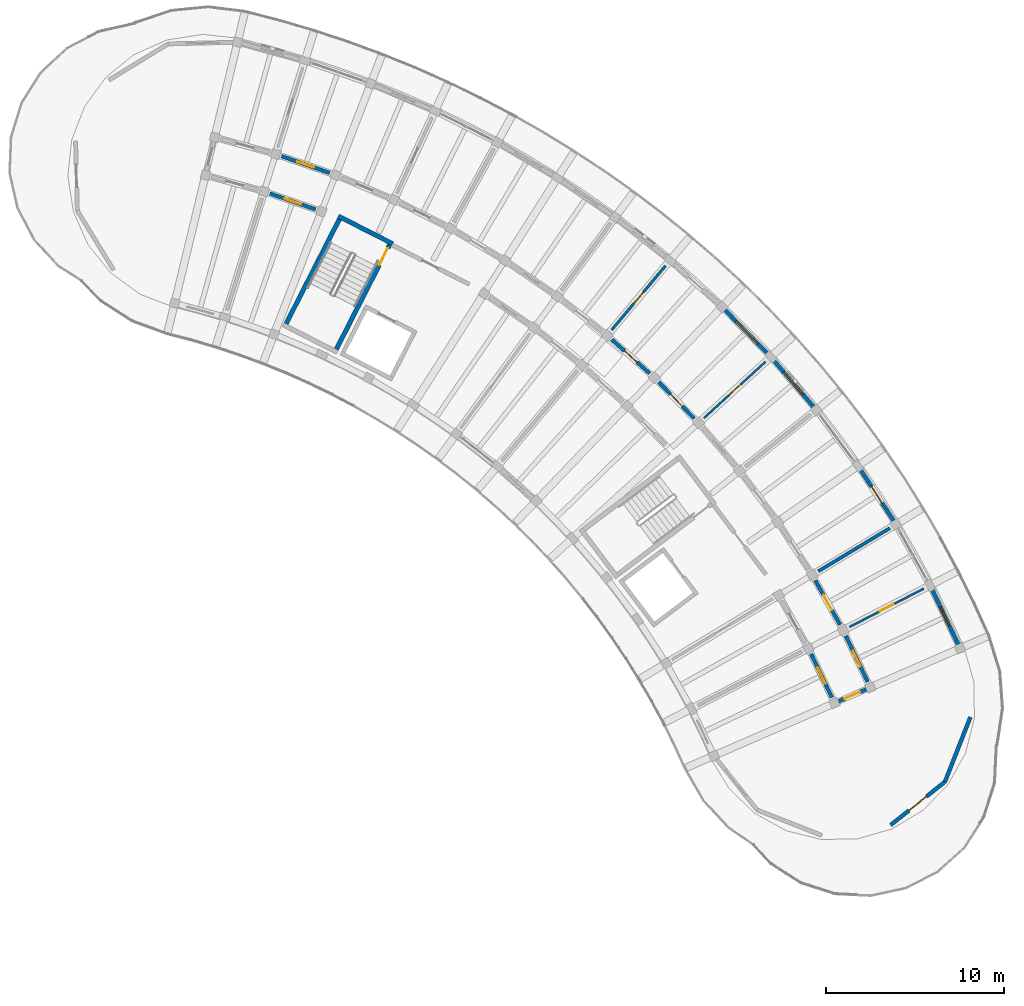
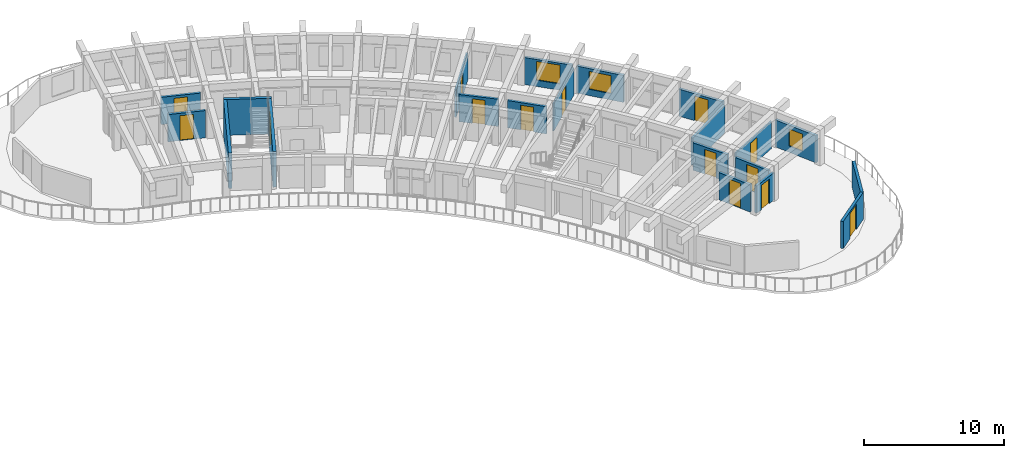
# One storey, part 43 of 62: 21 walls, 14 doors, 3 windows, 17 openings.
"""IFC4 building model written with IfcOpenShell, lengths in metres."""

from ifc_helpers import new_model, si_unit, direction, frame, frame_2d, origin, place, context, subcontext, project, spatial, rectangle, extrude, material, layer, layer_set, type_object, element, fill, save


model = new_model("IFC4")

# Units and contexts
model_context = context("Model", 3, precision=1e-05, world=origin(), true_north=direction((0.0, 1.0)))
body_context = subcontext(model_context, "Body", "Model", "MODEL_VIEW")
ifc_project = project(units=[si_unit("LENGTHUNIT", "METRE"), si_unit("AREAUNIT", "SQUARE_METRE"), si_unit("VOLUMEUNIT", "CUBIC_METRE"), si_unit("PLANEANGLEUNIT", "RADIAN"), si_unit("MASSUNIT", "GRAM", prefix="KILO")], contexts=[model_context])

# Site, building, storey
site_placement = place(None, origin())
site = spatial("IfcSite", under=ifc_project, at=site_placement, CompositionType="ELEMENT")
building_placement = place(site_placement, origin())
building = spatial("IfcBuilding", under=site, at=building_placement, Name="Tanwirah Colonnade Gardens", CompositionType="ELEMENT")
storey_placement = place(building_placement, frame((0.0, 0.0, 32.360107421875)))
storey = spatial("IfcBuildingStorey", under=building, at=storey_placement, Name="L09", CompositionType="ELEMENT", Elevation=32.360107421875)

# Wall, opening, window
ifc_material_1 = material(Name="Limestone architectural precast concrete C40/50", Category="masonry")
ifc_layer_1 = layer(ifc_material_1, 0.219970703125)
ifc_layer_set_1 = layer_set([ifc_layer_1], Name="Limestone architectural precast concrete C40/50")
wall_type_1 = type_object("IfcWallType", Name="EW-PC220", PredefinedType="SOLIDWALL", material=ifc_layer_set_1)
wall_1_placement = place(storey_placement, frame((175.493408203125, 84.197021484375, 0.0), z_axis=(0.0, 0.0, 1.0), x_axis=(-0.429641817045, 0.902999395928, 0.0)))
wall_1 = element("IfcWall", 1, at=wall_1_placement, inside=storey, type_object=wall_type_1, Name="Block B L09 OUT Precast Facade Wall 2", PredefinedType="SOLIDWALL", context=body_context, shape_type="SweptSolid", body=[
    extrude(rectangle(XDim=3.540771484375, YDim=0.219970703125, at=frame_2d((1.7705078125, 0.0))), origin(), (0.0, 0.0, 1.0), 2.35498046875),
])
opening_1_placement = place(wall_1_placement, frame((1.190185546875, 0.0, 0.550048828125)))
opening_1 = element("IfcOpeningElement", 2, at=opening_1_placement, cuts=wall_1, Name="Opening WIN-U01", PredefinedType="OPENING", context=body_context, shape_type="SweptSolid", body=[
    extrude(rectangle(XDim=1.159912109375, YDim=1.485107421875, at=frame_2d((0.580078125, 0.74267578125))), frame((0.0, 0.119873046875, 0.0), z_axis=(0.0, -1.0, 0.0), x_axis=(1.0, 0.0, 0.0)), (0.0, 0.0, 1.0), 0.239990234375),
])
ifc_material_2 = material(Name="Thermally broken bronze aluminium and solar low-E double glazing", Category="aluminium")
window_type_1 = type_object("IfcWindowType", Name="WIN-U01", PartitioningType="DOUBLE_PANEL_VERTICAL", PredefinedType="WINDOW", material=ifc_material_2)
window_1_placement = place(opening_1_placement, origin())
window_1 = element("IfcWindow", 3, at=window_1_placement, inside=storey, type_object=window_type_1, Name="Facade window B-L09-OUT-02", OverallHeight=1.485107421875, OverallWidth=1.159912109375, PartitioningType="SINGLE_PANEL", PredefinedType="WINDOW", context=body_context, shape_type="SweptSolid", body=[
    extrude(rectangle(XDim=1.159912109375, YDim=1.485107421875, at=frame_2d((0.580078125, 0.74267578125))), frame((0.0, 0.030029296875, 0.0), z_axis=(0.0, -1.0, 0.0), x_axis=(1.0, 0.0, 0.0)), (0.0, 0.0, 1.0), 0.06005859375),
])
fill(opening_1, window_1)

# Wall, opening, door
wall_2_placement = place(storey_placement, frame((171.864990234375, 91.154052734375, 0.0), z_axis=(0.0, 0.0, 1.0), x_axis=(-0.544651423633, 0.838662522553, 0.0)))
wall_2 = element("IfcWall", 4, at=wall_2_placement, inside=storey, type_object=wall_type_1, Name="Block B L09 OUT Precast Facade Wall 4", PredefinedType="SOLIDWALL", context=body_context, shape_type="SweptSolid", body=[
    extrude(rectangle(XDim=3.540771484375, YDim=0.219970703125, at=frame_2d((1.7705078125, 0.0))), origin(), (0.0, 0.0, 1.0), 2.35498046875),
])
opening_2_placement = place(wall_2_placement, frame((1.230224609375, 0.0, 0.0)))
opening_2 = element("IfcOpeningElement", 5, at=opening_2_placement, cuts=wall_2, Name="Opening L09-ED109", PredefinedType="OPENING", context=body_context, shape_type="SweptSolid", body=[
    extrude(rectangle(XDim=1.080078125, YDim=2.14990234375, at=frame_2d((0.5400390625, 1.074951171875))), frame((0.0, 0.119873046875, 0.0), z_axis=(0.0, -1.0, 0.0), x_axis=(1.0, 0.0, 0.0)), (0.0, 0.0, 1.0), 0.239990234375),
])
ifc_material_3 = material(Name="Bronze aluminium glazed balcony door", Category="aluminium")
door_type_1 = type_object("IfcDoorType", Name="ED-BAL108", OperationType="NOTDEFINED", PredefinedType="DOOR", material=ifc_material_3)
door_1_placement = place(opening_2_placement, origin())
door_1 = element("IfcDoor", 6, at=door_1_placement, inside=storey, type_object=door_type_1, Name="Balcony glazed door L09-ED109", OperationType="SINGLE_SWING_RIGHT", OverallHeight=2.14990234375, OverallWidth=1.080078125, PredefinedType="DOOR", context=body_context, shape_type="SweptSolid", body=[
    extrude(rectangle(XDim=1.080078125, YDim=2.14990234375, at=frame_2d((0.5400390625, 1.074951171875))), frame((0.0, 0.02490234375, 0.0), z_axis=(0.0, -1.0, 0.0), x_axis=(1.0, 0.0, 0.0)), (0.0, 0.0, 1.0), 0.050048828125),
])
fill(opening_2, door_1)

# Wall, opening, window
wall_3_placement = place(storey_placement, frame((167.353271484375, 97.5732421875, 0.0), z_axis=(0.0, 0.0, 1.0), x_axis=(-0.650200638195, 0.759762548492, 0.0)))
wall_3 = element("IfcWall", 7, at=wall_3_placement, inside=storey, type_object=wall_type_1, Name="Block B L09 OUT Precast Facade Wall 6", PredefinedType="SOLIDWALL", context=body_context, shape_type="SweptSolid", body=[
    extrude(rectangle(XDim=3.540771484375, YDim=0.219970703125, at=frame_2d((1.7705078125, 0.0))), origin(), (0.0, 0.0, 1.0), 2.35498046875),
])
opening_3_placement = place(wall_3_placement, frame((0.9501953125, 0.0, 0.550048828125)))
opening_3 = element("IfcOpeningElement", 8, at=opening_3_placement, cuts=wall_3, Name="Opening WIN-U13", PredefinedType="OPENING", context=body_context, shape_type="SweptSolid", body=[
    extrude(rectangle(XDim=1.639892578125, YDim=1.56005859375, at=frame_2d((0.81982421875, 0.780029296875))), frame((0.0, 0.119873046875, 0.0), z_axis=(0.0, -1.0, 0.0), x_axis=(1.0, 0.0, 0.0)), (0.0, 0.0, 1.0), 0.239990234375),
])
window_type_2 = type_object("IfcWindowType", Name="WIN-U13", PartitioningType="DOUBLE_PANEL_VERTICAL", PredefinedType="WINDOW", material=ifc_material_2)
window_2_placement = place(opening_3_placement, origin())
window_2 = element("IfcWindow", 9, at=window_2_placement, inside=storey, type_object=window_type_2, Name="Facade window B-L09-OUT-06", OverallHeight=1.56005859375, OverallWidth=1.639892578125, PartitioningType="SINGLE_PANEL", PredefinedType="WINDOW", context=body_context, shape_type="SweptSolid", body=[
    extrude(rectangle(XDim=1.639892578125, YDim=1.56005859375, at=frame_2d((0.81982421875, 0.780029296875))), frame((0.0, 0.030029296875, 0.0), z_axis=(0.0, -1.0, 0.0), x_axis=(1.0, 0.0, 0.0)), (0.0, 0.0, 1.0), 0.06005859375),
])
fill(opening_3, window_2)

wall_4_placement = place(storey_placement, frame((164.82861328125, 100.5068359375, 0.0), z_axis=(0.0, 0.0, 1.0), x_axis=(-0.698819119584, 0.715298425906, 0.0)))
wall_4 = element("IfcWall", 10, at=wall_4_placement, inside=storey, type_object=wall_type_1, Name="Block B L09 OUT Precast Facade Wall 7", PredefinedType="SOLIDWALL", context=body_context, shape_type="SweptSolid", body=[
    extrude(rectangle(XDim=3.540771484375, YDim=0.219970703125, at=frame_2d((1.7705078125, 0.0))), origin(), (0.0, 0.0, 1.0), 2.35498046875),
])
opening_4_placement = place(wall_4_placement, frame((0.890380859375, 0.0, 0.550048828125)))
opening_4 = element("IfcOpeningElement", 11, at=opening_4_placement, cuts=wall_4, Name="Opening WIN-U16", PredefinedType="OPENING", context=body_context, shape_type="SweptSolid", body=[
    extrude(rectangle(XDim=1.760009765625, YDim=1.635009765625, at=frame_2d((0.8798828125, 0.8173828125))), frame((0.0, 0.119873046875, 0.0), z_axis=(0.0, -1.0, 0.0), x_axis=(1.0, 0.0, 0.0)), (0.0, 0.0, 1.0), 0.239990234375),
])
window_type_3 = type_object("IfcWindowType", Name="WIN-U16", PartitioningType="DOUBLE_PANEL_VERTICAL", PredefinedType="WINDOW", material=ifc_material_2)
window_3_placement = place(opening_4_placement, origin())
window_3 = element("IfcWindow", 12, at=window_3_placement, inside=storey, type_object=window_type_3, Name="Facade window B-L09-OUT-07", OverallHeight=1.635009765625, OverallWidth=1.760009765625, PartitioningType="SINGLE_PANEL", PredefinedType="WINDOW", context=body_context, shape_type="SweptSolid", body=[
    extrude(rectangle(XDim=1.760009765625, YDim=1.635009765625, at=frame_2d((0.8798828125, 0.8173828125))), frame((0.0, 0.030029296875, 0.0), z_axis=(0.0, -1.0, 0.0), x_axis=(1.0, 0.0, 0.0)), (0.0, 0.0, 1.0), 0.06005859375),
])
fill(opening_4, window_3)

# Wall
wall_5_placement = place(storey_placement, frame((176.169189453125, 80.1337890625, 0.0), z_axis=(0.0, 0.0, 1.0), x_axis=(-0.365567330517, -0.930784898276, 0.0)))
element("IfcWall", 13, at=wall_5_placement, inside=storey, type_object=wall_type_1, Name="Block B L09 START Rounded End Wall 1", PredefinedType="SOLIDWALL", context=body_context, shape_type="SweptSolid", body=[
    extrude(rectangle(XDim=3.908203125, YDim=0.219970703125, at=frame_2d((1.9541015625, 0.0))), origin(), (0.0, 0.0, 1.0), 2.35498046875),
])

# Wall, opening, door
wall_6_placement = place(storey_placement, frame((174.740478515625, 76.49609375, 0.0), z_axis=(0.0, 0.0, 1.0), x_axis=(-0.782007217765, -0.623269373034, 0.0)))
wall_6 = element("IfcWall", 14, at=wall_6_placement, inside=storey, type_object=wall_type_1, Name="Block B L09 START Rounded End Wall 2", PredefinedType="SOLIDWALL", context=body_context, shape_type="SweptSolid", body=[
    extrude(rectangle(XDim=3.908203125, YDim=0.219970703125, at=frame_2d((1.9541015625, 0.0))), origin(), (0.0, 0.0, 1.0), 2.35498046875),
])
opening_5_placement = place(wall_6_placement, frame((1.32421875, 0.0, 0.0)))
opening_5 = element("IfcOpeningElement", 15, at=opening_5_placement, cuts=wall_6, Name="Opening L09-ED112", PredefinedType="OPENING", context=body_context, shape_type="SweptSolid", body=[
    extrude(rectangle(XDim=1.260009765625, YDim=2.179931640625, at=frame_2d((0.6298828125, 1.08984375))), frame((0.0, 0.119873046875, 0.0), z_axis=(0.0, -1.0, 0.0), x_axis=(1.0, 0.0, 0.0)), (0.0, 0.0, 1.0), 0.239990234375),
])
ifc_material_4 = material(Name="Bronze aluminium glazed terrace door", Category="aluminium")
door_type_2 = type_object("IfcDoorType", Name="ED-TER126", OperationType="NOTDEFINED", PredefinedType="DOOR", material=ifc_material_4)
door_2_placement = place(opening_5_placement, origin())
door_2 = element("IfcDoor", 16, at=door_2_placement, inside=storey, type_object=door_type_2, Name="Stepped corner terrace door L09-ED112", OperationType="SINGLE_SWING_RIGHT", OverallHeight=2.179931640625, OverallWidth=1.260009765625, PredefinedType="DOOR", context=body_context, shape_type="SweptSolid", body=[
    extrude(rectangle(XDim=1.260009765625, YDim=2.179931640625, at=frame_2d((0.6298828125, 1.08984375))), frame((0.0, 0.02490234375, 0.0), z_axis=(0.0, -1.0, 0.0), x_axis=(1.0, 0.0, 0.0)), (0.0, 0.0, 1.0), 0.050048828125),
])
fill(opening_5, door_2)

ifc_material_5 = material(Name="Precast concrete C40/50", Category="concrete")
ifc_layer_2 = layer(ifc_material_5, 0.205078125)
ifc_layer_set_2 = layer_set([ifc_layer_2], Name="Precast concrete C40/50")
wall_type_2 = type_object("IfcWallType", Name="IW-CORR205", PredefinedType="PARTITIONING", material=ifc_layer_set_2)
wall_7_placement = place(storey_placement, frame((170.395751953125, 82.116455078125, 0.0), z_axis=(0.0, 0.0, 1.0), x_axis=(-0.429595933416, 0.90302122566, 0.0)))
wall_7 = element("IfcWall", 17, at=wall_7_placement, inside=storey, type_object=wall_type_2, Name="Block B L09 OUT Corridor Wall 2", PredefinedType="PARTITIONING", context=body_context, shape_type="SweptSolid", body=[
    extrude(rectangle(XDim=2.863037109375, YDim=0.205078125, at=frame_2d((1.431640625, 0.0))), origin(), (0.0, 0.0, 1.0), 2.369873046875),
])
opening_6_placement = place(wall_7_placement, frame((0.9365234375, 0.0, 0.0)))
opening_6 = element("IfcOpeningElement", 18, at=opening_6_placement, cuts=wall_7, Name="Opening L09-AD1163", PredefinedType="OPENING", context=body_context, shape_type="SweptSolid", body=[
    extrude(rectangle(XDim=0.989990234375, YDim=2.159912109375, at=frame_2d((0.4951171875, 1.080078125))), frame((0.0, 0.112548828125, 0.0), z_axis=(0.0, -1.0, 0.0), x_axis=(1.0, 0.0, 0.0)), (0.0, 0.0, 1.0), 0.22509765625),
])
ifc_material_6 = material(Name="Solid oak fire-resisting apartment entrance door")
door_type_3 = type_object("IfcDoorType", Name="ID-FLT099", OperationType="NOTDEFINED", PredefinedType="DOOR", material=ifc_material_6)
door_3_placement = place(opening_6_placement, origin())
door_3 = element("IfcDoor", 19, at=door_3_placement, inside=storey, type_object=door_type_3, Name="Apartment corridor door L09-AD1163", OperationType="SINGLE_SWING_RIGHT", OverallHeight=2.159912109375, OverallWidth=0.989990234375, PredefinedType="DOOR", context=body_context, shape_type="SweptSolid", body=[
    extrude(rectangle(XDim=0.989990234375, YDim=2.159912109375, at=frame_2d((0.4951171875, 1.080078125))), frame((0.0, 0.02490234375, 0.0), z_axis=(0.0, -1.0, 0.0), x_axis=(1.0, 0.0, 0.0)), (0.0, 0.0, 1.0), 0.050048828125),
])
fill(opening_6, door_3)

wall_8_placement = place(storey_placement, frame((168.379150390625, 81.2373046875, 0.0), z_axis=(0.0, 0.0, 1.0), x_axis=(-0.429630211913, 0.90300491749, 0.0)))
wall_8 = element("IfcWall", 20, at=wall_8_placement, inside=storey, type_object=wall_type_2, Name="Block B L09 IN Corridor Wall 2", PredefinedType="PARTITIONING", context=body_context, shape_type="SweptSolid", body=[
    extrude(rectangle(XDim=2.718017578125, YDim=0.205078125, at=frame_2d((1.35888671875, 0.0))), origin(), (0.0, 0.0, 1.0), 2.369873046875),
])
opening_7_placement = place(wall_8_placement, frame((0.864013671875, 0.0, 0.0)))
opening_7 = element("IfcOpeningElement", 21, at=opening_7_placement, cuts=wall_8, Name="Opening L09-AD1164", PredefinedType="OPENING", context=body_context, shape_type="SweptSolid", body=[
    extrude(rectangle(XDim=0.989990234375, YDim=2.159912109375, at=frame_2d((0.4951171875, 1.080078125))), frame((0.0, 0.112548828125, 0.0), z_axis=(0.0, -1.0, 0.0), x_axis=(1.0, 0.0, 0.0)), (0.0, 0.0, 1.0), 0.22509765625),
])
door_4_placement = place(opening_7_placement, origin())
door_4 = element("IfcDoor", 22, at=door_4_placement, inside=storey, type_object=door_type_3, Name="Apartment corridor door L09-AD1164", OperationType="SINGLE_SWING_LEFT", OverallHeight=2.159912109375, OverallWidth=0.989990234375, PredefinedType="DOOR", context=body_context, shape_type="SweptSolid", body=[
    extrude(rectangle(XDim=0.989990234375, YDim=2.159912109375, at=frame_2d((0.4951171875, 1.080078125))), frame((0.0, 0.02490234375, 0.0), z_axis=(0.0, -1.0, 0.0), x_axis=(1.0, 0.0, 0.0)), (0.0, 0.0, 1.0), 0.050048828125),
])
fill(opening_7, door_4)

wall_9_placement = place(storey_placement, frame((168.844482421875, 85.323486328125, 0.0), z_axis=(0.0, 0.0, 1.0), x_axis=(-0.48817487918, 0.872745832037, 0.0)))
wall_9 = element("IfcWall", 23, at=wall_9_placement, inside=storey, type_object=wall_type_2, Name="Block B L09 OUT Corridor Wall 3", PredefinedType="PARTITIONING", context=body_context, shape_type="SweptSolid", body=[
    extrude(rectangle(XDim=2.863037109375, YDim=0.205078125, at=frame_2d((1.431640625, 0.0))), origin(), (0.0, 0.0, 1.0), 2.369873046875),
])
opening_8_placement = place(wall_9_placement, frame((0.946533203125, 0.0, 0.0)))
opening_8 = element("IfcOpeningElement", 24, at=opening_8_placement, cuts=wall_9, Name="Opening L09-AD1166", PredefinedType="OPENING", context=body_context, shape_type="SweptSolid", body=[
    extrude(rectangle(XDim=0.969970703125, YDim=2.14990234375, at=frame_2d((0.48486328125, 1.074951171875))), frame((0.0, 0.112548828125, 0.0), z_axis=(0.0, -1.0, 0.0), x_axis=(1.0, 0.0, 0.0)), (0.0, 0.0, 1.0), 0.22509765625),
])
door_type_4 = type_object("IfcDoorType", Name="ID-FLT097", OperationType="NOTDEFINED", PredefinedType="DOOR", material=ifc_material_6)
door_5_placement = place(opening_8_placement, origin())
door_5 = element("IfcDoor", 25, at=door_5_placement, inside=storey, type_object=door_type_4, Name="Apartment corridor door L09-AD1166", OperationType="SINGLE_SWING_LEFT", OverallHeight=2.14990234375, OverallWidth=0.969970703125, PredefinedType="DOOR", context=body_context, shape_type="SweptSolid", body=[
    extrude(rectangle(XDim=0.969970703125, YDim=2.14990234375, at=frame_2d((0.48486328125, 1.074951171875))), frame((0.0, 0.02490234375, 0.0), z_axis=(0.0, -1.0, 0.0), x_axis=(1.0, 0.0, 0.0)), (0.0, 0.0, 1.0), 0.050048828125),
])
fill(opening_8, door_5)

wall_10_placement = place(storey_placement, frame((160.640625, 96.92724609375, 0.0), z_axis=(0.0, 0.0, 1.0), x_axis=(-0.698787219683, 0.715329589496, 0.0)))
wall_10 = element("IfcWall", 26, at=wall_10_placement, inside=storey, type_object=wall_type_2, Name="Block B L09 OUT Corridor Wall 7", PredefinedType="PARTITIONING", context=body_context, shape_type="SweptSolid", body=[
    extrude(rectangle(XDim=2.863037109375, YDim=0.205078125, at=frame_2d((1.431640625, 0.0))), origin(), (0.0, 0.0, 1.0), 2.369873046875),
])
opening_9_placement = place(wall_10_placement, frame((0.946533203125, 0.0, 0.0)))
opening_9 = element("IfcOpeningElement", 27, at=opening_9_placement, cuts=wall_10, Name="Opening L09-AD1173", PredefinedType="OPENING", context=body_context, shape_type="SweptSolid", body=[
    extrude(rectangle(XDim=0.969970703125, YDim=2.14990234375, at=frame_2d((0.48486328125, 1.074951171875))), frame((0.0, 0.112548828125, 0.0), z_axis=(0.0, -1.0, 0.0), x_axis=(1.0, 0.0, 0.0)), (0.0, 0.0, 1.0), 0.22509765625),
])
door_6_placement = place(opening_9_placement, origin())
door_6 = element("IfcDoor", 28, at=door_6_placement, inside=storey, type_object=door_type_4, Name="Apartment corridor door L09-AD1173", OperationType="SINGLE_SWING_LEFT", OverallHeight=2.14990234375, OverallWidth=0.969970703125, PredefinedType="DOOR", context=body_context, shape_type="SweptSolid", body=[
    extrude(rectangle(XDim=0.969970703125, YDim=2.14990234375, at=frame_2d((0.48486328125, 1.074951171875))), frame((0.0, 0.02490234375, 0.0), z_axis=(0.0, -1.0, 0.0), x_axis=(1.0, 0.0, 0.0)), (0.0, 0.0, 1.0), 0.050048828125),
])
fill(opening_9, door_6)

wall_11_placement = place(storey_placement, frame((158.134765625, 99.459228515625, 0.0), z_axis=(0.0, 0.0, 1.0), x_axis=(-0.744433521088, 0.667696587291, 0.0)))
wall_11 = element("IfcWall", 29, at=wall_11_placement, inside=storey, type_object=wall_type_2, Name="Block B L09 OUT Corridor Wall 8", PredefinedType="PARTITIONING", context=body_context, shape_type="SweptSolid", body=[
    extrude(rectangle(XDim=2.86328125, YDim=0.205078125, at=frame_2d((1.431640625, 0.0))), origin(), (0.0, 0.0, 1.0), 2.369873046875),
])
opening_10_placement = place(wall_11_placement, frame((0.95654296875, 0.0, 0.0)))
opening_10 = element("IfcOpeningElement", 30, at=opening_10_placement, cuts=wall_11, Name="Opening L09-AD1175", PredefinedType="OPENING", context=body_context, shape_type="SweptSolid", body=[
    extrude(rectangle(XDim=0.949951171875, YDim=2.1298828125, at=frame_2d((0.47509765625, 1.06494140625))), frame((0.0, 0.112548828125, 0.0), z_axis=(0.0, -1.0, 0.0), x_axis=(1.0, 0.0, 0.0)), (0.0, 0.0, 1.0), 0.22509765625),
])
door_type_5 = type_object("IfcDoorType", Name="ID-FLT095", OperationType="NOTDEFINED", PredefinedType="DOOR", material=ifc_material_6)
door_7_placement = place(opening_10_placement, origin())
door_7 = element("IfcDoor", 31, at=door_7_placement, inside=storey, type_object=door_type_5, Name="Apartment corridor door L09-AD1175", OperationType="SINGLE_SWING_RIGHT", OverallHeight=2.1298828125, OverallWidth=0.949951171875, PredefinedType="DOOR", context=body_context, shape_type="SweptSolid", body=[
    extrude(rectangle(XDim=0.949951171875, YDim=2.1298828125, at=frame_2d((0.47509765625, 1.06494140625))), frame((0.0, 0.02490234375, 0.0), z_axis=(0.0, -1.0, 0.0), x_axis=(1.0, 0.0, 0.0)), (0.0, 0.0, 1.0), 0.050048828125),
])
fill(opening_10, door_7)

wall_12_placement = place(storey_placement, frame((140.13720703125, 110.737548828125, 0.0), z_axis=(0.0, 0.0, 1.0), x_axis=(-0.944253820929, 0.329218349522, 0.0)))
wall_12 = element("IfcWall", 32, at=wall_12_placement, inside=storey, type_object=wall_type_2, Name="Block B L09 OUT Corridor Wall 14", PredefinedType="PARTITIONING", context=body_context, shape_type="SweptSolid", body=[
    extrude(rectangle(XDim=2.86328125, YDim=0.205078125, at=frame_2d((1.431640625, 0.0))), origin(), (0.0, 0.0, 1.0), 2.369873046875),
])
opening_11_placement = place(wall_12_placement, frame((0.9365234375, 0.0, 0.0)))
opening_11 = element("IfcOpeningElement", 33, at=opening_11_placement, cuts=wall_12, Name="Opening L09-AD1187", PredefinedType="OPENING", context=body_context, shape_type="SweptSolid", body=[
    extrude(rectangle(XDim=0.989990234375, YDim=2.159912109375, at=frame_2d((0.4951171875, 1.080078125))), frame((0.0, 0.112548828125, 0.0), z_axis=(0.0, -1.0, 0.0), x_axis=(1.0, 0.0, 0.0)), (0.0, 0.0, 1.0), 0.22509765625),
])
door_8_placement = place(opening_11_placement, origin())
door_8 = element("IfcDoor", 34, at=door_8_placement, inside=storey, type_object=door_type_3, Name="Apartment corridor door L09-AD1187", OperationType="SINGLE_SWING_RIGHT", OverallHeight=2.159912109375, OverallWidth=0.989990234375, PredefinedType="DOOR", context=body_context, shape_type="SweptSolid", body=[
    extrude(rectangle(XDim=0.989990234375, YDim=2.159912109375, at=frame_2d((0.4951171875, 1.080078125))), frame((0.0, 0.02490234375, 0.0), z_axis=(0.0, -1.0, 0.0), x_axis=(1.0, 0.0, 0.0)), (0.0, 0.0, 1.0), 0.050048828125),
])
fill(opening_11, door_8)

wall_13_placement = place(storey_placement, frame((139.3447265625, 108.685302734375, 0.0), z_axis=(0.0, 0.0, 1.0), x_axis=(-0.944265123647, 0.329185929627, 0.0)))
wall_13 = element("IfcWall", 35, at=wall_13_placement, inside=storey, type_object=wall_type_2, Name="Block B L09 IN Corridor Wall 14", PredefinedType="PARTITIONING", context=body_context, shape_type="SweptSolid", body=[
    extrude(rectangle(XDim=2.71826171875, YDim=0.205078125, at=frame_2d((1.359130859375, 0.0))), origin(), (0.0, 0.0, 1.0), 2.369873046875),
])
opening_12_placement = place(wall_13_placement, frame((0.864013671875, 0.0, 0.0)))
opening_12 = element("IfcOpeningElement", 36, at=opening_12_placement, cuts=wall_13, Name="Opening L09-AD1188", PredefinedType="OPENING", context=body_context, shape_type="SweptSolid", body=[
    extrude(rectangle(XDim=0.989990234375, YDim=2.159912109375, at=frame_2d((0.4951171875, 1.080078125))), frame((0.0, 0.112548828125, 0.0), z_axis=(0.0, -1.0, 0.0), x_axis=(1.0, 0.0, 0.0)), (0.0, 0.0, 1.0), 0.22509765625),
])
door_9_placement = place(opening_12_placement, origin())
door_9 = element("IfcDoor", 37, at=door_9_placement, inside=storey, type_object=door_type_3, Name="Apartment corridor door L09-AD1188", OperationType="SINGLE_SWING_LEFT", OverallHeight=2.159912109375, OverallWidth=0.989990234375, PredefinedType="DOOR", context=body_context, shape_type="SweptSolid", body=[
    extrude(rectangle(XDim=0.989990234375, YDim=2.159912109375, at=frame_2d((0.4951171875, 1.080078125))), frame((0.0, 0.02490234375, 0.0), z_axis=(0.0, -1.0, 0.0), x_axis=(1.0, 0.0, 0.0)), (0.0, 0.0, 1.0), 0.050048828125),
])
fill(opening_12, door_9)

wall_14_placement = place(storey_placement, frame((168.575439453125, 80.941162109375, 0.0), z_axis=(0.0, 0.0, 1.0), x_axis=(0.916636986934, 0.399720695216, 0.0)))
wall_14 = element("IfcWall", 38, at=wall_14_placement, inside=storey, type_object=wall_type_2, Name="Block B L09 CS Corner Suite Corridor Wall", PredefinedType="PARTITIONING", context=body_context, shape_type="SweptSolid", body=[
    extrude(rectangle(XDim=2.099853515625, YDim=0.205078125, at=frame_2d((1.0498046875, 0.0))), origin(), (0.0, 0.0, 1.0), 2.369873046875),
])
opening_13_placement = place(wall_14_placement, frame((0.570068359375, 0.0, 0.0)))
opening_13 = element("IfcOpeningElement", 39, at=opening_13_placement, cuts=wall_14, Name="Opening L09-CD1192", PredefinedType="OPENING", context=body_context, shape_type="SweptSolid", body=[
    extrude(rectangle(XDim=0.949951171875, YDim=2.1298828125, at=frame_2d((0.47509765625, 1.06494140625))), frame((0.0, 0.112548828125, 0.0), z_axis=(0.0, -1.0, 0.0), x_axis=(1.0, 0.0, 0.0)), (0.0, 0.0, 1.0), 0.22509765625),
])
door_10_placement = place(opening_13_placement, origin())
door_10 = element("IfcDoor", 40, at=door_10_placement, inside=storey, type_object=door_type_5, Name="Corner suite entrance door L09-CD1192", OperationType="SINGLE_SWING_LEFT", OverallHeight=2.1298828125, OverallWidth=0.949951171875, PredefinedType="DOOR", context=body_context, shape_type="SweptSolid", body=[
    extrude(rectangle(XDim=0.949951171875, YDim=2.1298828125, at=frame_2d((0.47509765625, 1.06494140625))), frame((0.0, 0.02490234375, 0.0), z_axis=(0.0, -1.0, 0.0), x_axis=(1.0, 0.0, 0.0)), (0.0, 0.0, 1.0), 0.050048828125),
])
fill(opening_13, door_10)

# Wall
ifc_layer_3 = layer(ifc_material_5, 0.18505859375)
ifc_layer_set_3 = layer_set([ifc_layer_3], Name="Precast concrete C40/50")
wall_type_3 = type_object("IfcWallType", Name="IW-DEM185", PredefinedType="PARTITIONING", material=ifc_layer_set_3)
wall_15_placement = place(storey_placement, frame((167.618408203125, 88.334228515625, 0.0), z_axis=(0.0, 0.0, 1.0), x_axis=(0.856165473929, 0.516701733356, 0.0)))
element("IfcWall", 41, at=wall_15_placement, inside=storey, type_object=wall_type_3, Name="Block B L09 Radial Partition 3", PredefinedType="PARTITIONING", context=body_context, shape_type="SweptSolid", body=[
    extrude(rectangle(XDim=4.699951171875, YDim=0.18505859375, at=frame_2d((2.35009765625, 0.0))), origin(), (0.0, 0.0, 1.0), 2.369873046875),
])

# Wall, opening, door
ifc_material_7 = material(Name="Acoustic gypsum stud partition")
ifc_layer_4 = layer(ifc_material_7, 0.114990234375)
ifc_layer_set_4 = layer_set([ifc_layer_4], Name="Acoustic gypsum stud partition")
wall_type_4 = type_object("IfcWallType", Name="IW-INT115", PredefinedType="PARTITIONING", material=ifc_layer_set_4)
wall_16_placement = place(storey_placement, frame((169.37060546875, 85.20166015625, 0.0), z_axis=(0.0, 0.0, 1.0), x_axis=(0.88836305433, 0.459141681512, 0.0)))
wall_16 = element("IfcWall", 42, at=wall_16_placement, inside=storey, type_object=wall_type_4, Name="Block B L09 Radial Partition 2", PredefinedType="PARTITIONING", context=body_context, shape_type="SweptSolid", body=[
    extrude(rectangle(XDim=4.699951171875, YDim=0.114990234375, at=frame_2d((2.35009765625, 0.0))), origin(), (0.0, 0.0, 1.0), 2.369873046875),
])
opening_14_placement = place(wall_16_placement, frame((1.9150390625, 0.0, 0.0)))
opening_14 = element("IfcOpeningElement", 43, at=opening_14_placement, cuts=wall_16, Name="Opening L09-RD1165", PredefinedType="OPENING", context=body_context, shape_type="SweptSolid", body=[
    extrude(rectangle(XDim=0.8701171875, YDim=2.080078125, at=frame_2d((0.43505859375, 1.0400390625))), frame((0.0, 0.0673828125, 0.0), z_axis=(0.0, -1.0, 0.0), x_axis=(1.0, 0.0, 0.0)), (0.0, 0.0, 1.0), 0.135009765625),
])
ifc_material_8 = material(Name="Painted hardwood study door", Category="wood")
door_type_6 = type_object("IfcDoorType", Name="ID-RM087", OperationType="NOTDEFINED", PredefinedType="DOOR", material=ifc_material_8)
door_11_placement = place(opening_14_placement, origin())
door_11 = element("IfcDoor", 44, at=door_11_placement, inside=storey, type_object=door_type_6, Name="Internal apartment door L09-RD1165", OperationType="SINGLE_SWING_RIGHT", OverallHeight=2.080078125, OverallWidth=0.8701171875, PredefinedType="DOOR", context=body_context, shape_type="SweptSolid", body=[
    extrude(rectangle(XDim=0.8701171875, YDim=2.080078125, at=frame_2d((0.43505859375, 1.0400390625))), frame((0.0, 0.02490234375, 0.0), z_axis=(0.0, -1.0, 0.0), x_axis=(1.0, 0.0, 0.0)), (0.0, 0.0, 1.0), 0.050048828125),
])
fill(opening_14, door_11)

wall_17_placement = place(storey_placement, frame((161.180419921875, 96.947021484375, 0.0), z_axis=(0.0, 0.0, 1.0), x_axis=(0.737934199263, 0.674872667663, 0.0)))
wall_17 = element("IfcWall", 45, at=wall_17_placement, inside=storey, type_object=wall_type_4, Name="Block B L09 Radial Partition 6", PredefinedType="PARTITIONING", context=body_context, shape_type="SweptSolid", body=[
    extrude(rectangle(XDim=4.699951171875, YDim=0.114990234375, at=frame_2d((2.35009765625, 0.0))), origin(), (0.0, 0.0, 1.0), 2.369873046875),
])
opening_15_placement = place(wall_17_placement, frame((1.89501953125, 0.0, 0.0)))
opening_15 = element("IfcOpeningElement", 46, at=opening_15_placement, cuts=wall_17, Name="Opening L09-RD1172", PredefinedType="OPENING", context=body_context, shape_type="SweptSolid", body=[
    extrude(rectangle(XDim=0.909912109375, YDim=2.10009765625, at=frame_2d((0.455078125, 1.050048828125))), frame((0.0, 0.0673828125, 0.0), z_axis=(0.0, -1.0, 0.0), x_axis=(1.0, 0.0, 0.0)), (0.0, 0.0, 1.0), 0.135009765625),
])
ifc_material_9 = material(Name="Painted hardwood internal room door", Category="wood")
door_type_7 = type_object("IfcDoorType", Name="ID-RM091", OperationType="NOTDEFINED", PredefinedType="DOOR", material=ifc_material_9)
door_12_placement = place(opening_15_placement, origin())
door_12 = element("IfcDoor", 47, at=door_12_placement, inside=storey, type_object=door_type_7, Name="Internal apartment door L09-RD1172", OperationType="SINGLE_SWING_RIGHT", OverallHeight=2.10009765625, OverallWidth=0.909912109375, PredefinedType="DOOR", context=body_context, shape_type="SweptSolid", body=[
    extrude(rectangle(XDim=0.909912109375, YDim=2.10009765625, at=frame_2d((0.455078125, 1.050048828125))), frame((0.0, 0.02490234375, 0.0), z_axis=(0.0, -1.0, 0.0), x_axis=(1.0, 0.0, 0.0)), (0.0, 0.0, 1.0), 0.050048828125),
])
fill(opening_15, door_12)

ifc_material_10 = material(Name="Water-resistant acoustic plumbing partition")
ifc_layer_5 = layer(ifc_material_10, 0.14990234375)
ifc_layer_set_5 = layer_set([ifc_layer_5], Name="Water-resistant acoustic plumbing partition")
wall_type_5 = type_object("IfcWallType", Name="IW-WET150", PredefinedType="PLUMBINGWALL", material=ifc_layer_set_5)
wall_18_placement = place(storey_placement, frame((155.999755859375, 101.9111328125, 0.0), z_axis=(0.0, 0.0, 1.0), x_axis=(0.642811926223, 0.766024038465, 0.0)))
wall_18 = element("IfcWall", 48, at=wall_18_placement, inside=storey, type_object=wall_type_5, Name="Block B L09 Radial Partition 8", PredefinedType="PLUMBINGWALL", context=body_context, shape_type="SweptSolid", body=[
    extrude(rectangle(XDim=4.699951171875, YDim=0.14990234375, at=frame_2d((2.35009765625, 0.0))), origin(), (0.0, 0.0, 1.0), 2.369873046875),
])
opening_16_placement = place(wall_18_placement, frame((1.919921875, 0.0, 0.0)))
opening_16 = element("IfcOpeningElement", 49, at=opening_16_placement, cuts=wall_18, Name="Opening L09-RD1177", PredefinedType="OPENING", context=body_context, shape_type="SweptSolid", body=[
    extrude(rectangle(XDim=0.860107421875, YDim=2.06005859375, at=frame_2d((0.43017578125, 1.030029296875))), frame((0.0, 0.0849609375, 0.0), z_axis=(0.0, -1.0, 0.0), x_axis=(1.0, 0.0, 0.0)), (0.0, 0.0, 1.0), 0.169921875),
])
ifc_material_11 = material(Name="Moisture-resistant bathroom door")
door_type_8 = type_object("IfcDoorType", Name="ID-WET086", OperationType="NOTDEFINED", PredefinedType="DOOR", material=ifc_material_11)
door_13_placement = place(opening_16_placement, origin())
door_13 = element("IfcDoor", 50, at=door_13_placement, inside=storey, type_object=door_type_8, Name="Internal apartment door L09-RD1177", OperationType="SINGLE_SWING_RIGHT", OverallHeight=2.06005859375, OverallWidth=0.860107421875, PredefinedType="DOOR", context=body_context, shape_type="SweptSolid", body=[
    extrude(rectangle(XDim=0.860107421875, YDim=2.06005859375, at=frame_2d((0.43017578125, 1.030029296875))), frame((0.0, 0.02490234375, 0.0), z_axis=(0.0, -1.0, 0.0), x_axis=(1.0, 0.0, 0.0)), (0.0, 0.0, 1.0), 0.050048828125),
])
fill(opening_16, door_13)

# Walls
ifc_material_12 = material(Name="Concrete C45/55", Category="concrete")
ifc_layer_6 = layer(ifc_material_12, 0.25)
ifc_layer_set_6 = layer_set([ifc_layer_6], Name="Concrete C45/55")
wall_type_6 = type_object("IfcWallType", Name="SW-CORE250", PredefinedType="SHEAR", material=ifc_layer_set_6)
wall_19_placement = place(storey_placement, frame((140.68408203125, 108.138671875, 0.0), z_axis=(0.0, 0.0, 1.0), x_axis=(-0.453992276384, -0.891005618941, 0.0)))
element("IfcWall", 51, at=wall_19_placement, inside=storey, type_object=wall_type_6, Name="CORE-B2 L09 Stair Shaft Shear Wall LEFT", PredefinedType="SHEAR", context=body_context, shape_type="SweptSolid", body=[
    extrude(rectangle(XDim=6.599853515625, YDim=0.25, at=frame_2d((3.2998046875, 0.0))), origin(), (0.0, 0.0, 1.0), 3.10986328125),
])
wall_20_placement = place(storey_placement, frame((140.62939453125, 108.306640625, 0.0), z_axis=(0.0, 0.0, 1.0), x_axis=(0.891032414707, -0.453939683153, 0.0)))
element("IfcWall", 52, at=wall_20_placement, inside=storey, type_object=wall_type_6, Name="CORE-B2 L09 Stair Shaft Shear Wall NEAR", PredefinedType="SHEAR", context=body_context, shape_type="SweptSolid", body=[
    extrude(rectangle(XDim=3.419921875, YDim=0.25, at=frame_2d((1.7099609375, 0.0))), origin(), (0.0, 0.0, 1.0), 3.10986328125),
])

# Wall, opening, door
wall_21_placement = place(storey_placement, frame((143.508544921875, 106.699462890625, 0.0), z_axis=(0.0, 0.0, 1.0), x_axis=(-0.453992276384, -0.891005618941, 0.0)))
wall_21 = element("IfcWall", 53, at=wall_21_placement, inside=storey, type_object=wall_type_6, Name="CORE-B2 L09 Stair Shaft Shear Wall RIGHT", PredefinedType="SHEAR", context=body_context, shape_type="SweptSolid", body=[
    extrude(rectangle(XDim=6.599853515625, YDim=0.25, at=frame_2d((3.2998046875, 0.0))), origin(), (0.0, 0.0, 1.0), 3.10986328125),
])
opening_17_placement = place(wall_21_placement, frame((0.219970703125, 0.0, 0.0)))
opening_17 = element("IfcOpeningElement", 54, at=opening_17_placement, cuts=wall_21, Name="Opening L09-SD103", PredefinedType="OPENING", context=body_context, shape_type="SweptSolid", body=[
    extrude(rectangle(XDim=1.050048828125, YDim=2.14990234375, at=frame_2d((0.52490234375, 1.074951171875))), frame((0.0, 0.135009765625, 0.0), z_axis=(0.0, -1.0, 0.0), x_axis=(1.0, 0.0, 0.0)), (0.0, 0.0, 1.0), 0.27001953125),
])
ifc_material_13 = material(Name="Steel fire-resisting stair enclosure door", Category="steel")
door_type_9 = type_object("IfcDoorType", Name="ID-ST105", OperationType="NOTDEFINED", PredefinedType="DOOR", material=ifc_material_13)
door_14_placement = place(opening_17_placement, origin())
door_14 = element("IfcDoor", 55, at=door_14_placement, inside=storey, type_object=door_type_9, Name="CORE-B2 L09 Stair Fire Door L09-SD103", OperationType="SINGLE_SWING_RIGHT", OverallHeight=2.14990234375, OverallWidth=1.050048828125, PredefinedType="DOOR", context=body_context, shape_type="SweptSolid", body=[
    extrude(rectangle(XDim=1.050048828125, YDim=2.14990234375, at=frame_2d((0.52490234375, 1.074951171875))), frame((0.0, 0.02490234375, 0.0), z_axis=(0.0, -1.0, 0.0), x_axis=(1.0, 0.0, 0.0)), (0.0, 0.0, 1.0), 0.050048828125),
])
fill(opening_17, door_14)

save(model, "model.ifc")
